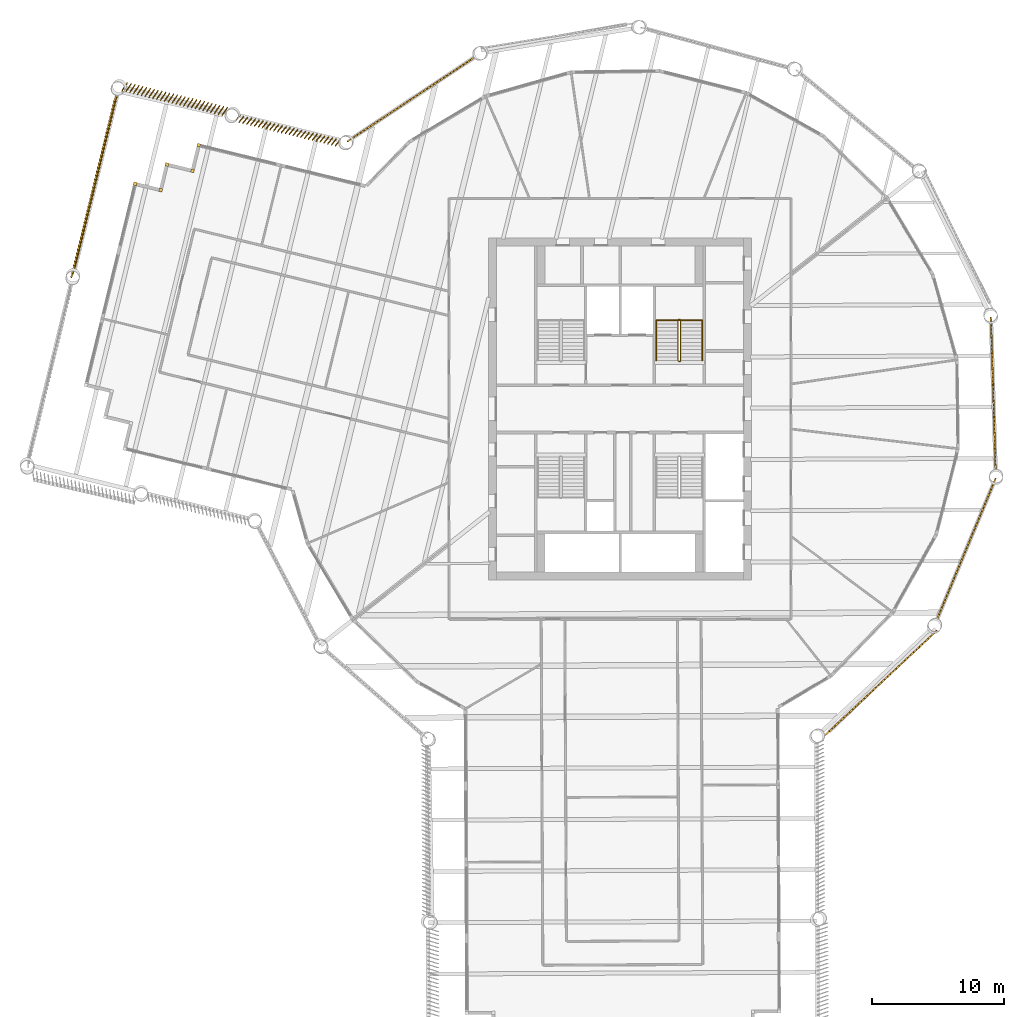
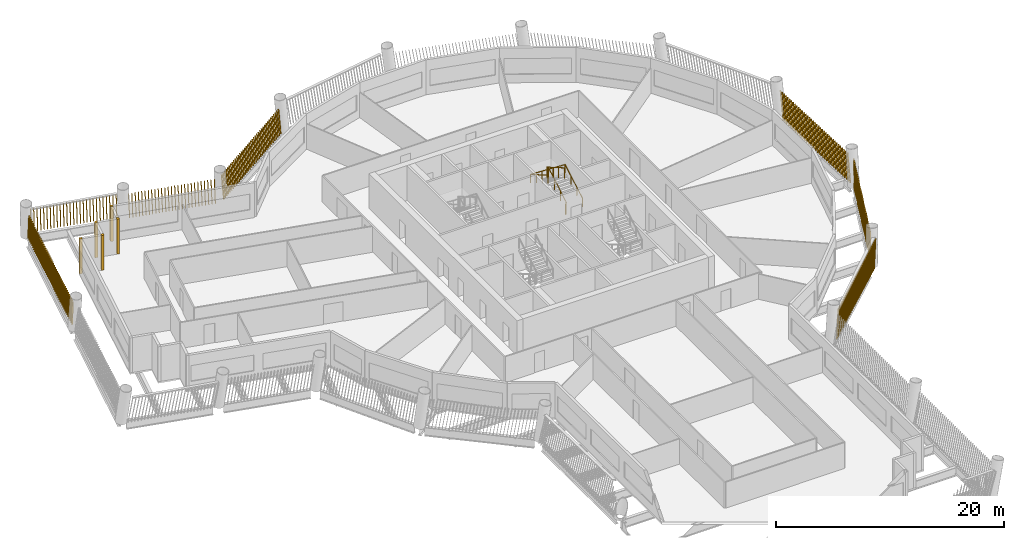
# One storey, part 13 of 15: 12 shading devices, 2 railings.
"""IFC4 building model written with IfcOpenShell, lengths in metres."""

import ifcopenshell
import ifcopenshell.guid

model = None  # the IFC model being written
_history = None  # IfcOwnerHistory: only IFC2X3 demands one
_inside = {}  # id of a spatial element -> (the spatial element, [elements in it])
_under = {}  # id of a project, library or spatial element -> (it, [spatial elements below it])
_declared = {}  # id of a project -> (the project, [libraries it declares])
_typed = {}  # id of a type object -> (the type object, [elements of that type])
_made_of = {}  # id of a material, layer set ... -> (it, [elements and type objects made of it])


def new_model(schema):
    """Start an empty IFC model of exactly this schema.

    Asked for "IFC4X3", IfcOpenShell would pick the latest addendum, in which some entities
    have other attributes; the version numbers below select the first issue.
    IFC2X3 requires an IfcOwnerHistory on every rooted entity: one is made here for all.
    """
    global model, _history
    if schema == "IFC4X3":
        model = ifcopenshell.file(schema_version=(4, 3, 0, 0))
    else:
        model = ifcopenshell.file(schema=schema)
    _inside.clear()
    _under.clear()
    _declared.clear()
    _typed.clear()
    _made_of.clear()
    _history = None
    if model.schema == "IFC2X3":
        org = make("IfcOrganization", Name="unknown")
        user = make(
            "IfcPersonAndOrganization",
            ThePerson=make("IfcPerson", FamilyName="unknown"),
            TheOrganization=org,
        )
        app = make(
            "IfcApplication",
            ApplicationDeveloper=org,
            Version="unknown",
            ApplicationFullName="unknown",
            ApplicationIdentifier="unknown",
        )
        _history = make(
            "IfcOwnerHistory",
            OwningUser=user,
            OwningApplication=app,
            ChangeAction="ADDED",
            CreationDate=0,
        )
    return model


def make(cls, **values):
    """One entity of the class cls with the attributes given. An attribute that is None is left unset."""
    return model.create_entity(
        cls, **{name: value for name, value in values.items() if value is not None}
    )


def rooted(cls, **values):
    """An entity with a GlobalId (a new one), such as an element, a storey or a relation."""
    return make(cls, GlobalId=ifcopenshell.guid.new(), OwnerHistory=_history, **values)


def si_unit(unit_type, name, prefix=None):
    """IfcSIUnit, for example si_unit("LENGTHUNIT", "METRE", prefix="MILLI")."""
    return make("IfcSIUnit", UnitType=unit_type, Prefix=prefix, Name=name)


def assignment(units):
    """IfcUnitAssignment: the units of a project."""
    return None if units is None else make("IfcUnitAssignment", Units=units)


def point(xyz):
    """IfcCartesianPoint."""
    return None if xyz is None else make("IfcCartesianPoint", Coordinates=xyz)


def direction(xyz):
    """IfcDirection."""
    return None if xyz is None else make("IfcDirection", DirectionRatios=xyz)


def frame(location, z_axis=None, x_axis=None):
    """IfcAxis2Placement3D, a coordinate frame: its origin and axes. An axis left out is left unset."""
    return make(
        "IfcAxis2Placement3D",
        Location=point(location),
        Axis=direction(z_axis),
        RefDirection=direction(x_axis),
    )


def frame_2d(location, x_axis=None):
    """IfcAxis2Placement2D, a coordinate frame in the plane: its origin and x axis."""
    return make(
        "IfcAxis2Placement2D", Location=point(location), RefDirection=direction(x_axis)
    )


def origin():
    """The frame at (0, 0, 0) with its axes left unset."""
    return frame((0.0, 0.0, 0.0))


def origin_2d():
    """The frame at (0, 0) in the plane with its x axis left unset."""
    return frame_2d((0.0, 0.0))


def place(relative_to, where):
    """IfcLocalPlacement: puts the frame where relative to a parent placement (None: the world)."""
    return make(
        "IfcLocalPlacement", PlacementRelTo=relative_to, RelativePlacement=where
    )


def context(
    kind, dimensions, precision=None, world=None, true_north=None, identifier=None
):
    """IfcGeometricRepresentationContext, for example the 3D "Model" context."""
    return make(
        "IfcGeometricRepresentationContext",
        ContextIdentifier=identifier,
        ContextType=kind,
        CoordinateSpaceDimension=dimensions,
        Precision=precision,
        WorldCoordinateSystem=world,
        TrueNorth=true_north,
    )


def subcontext(parent, identifier, kind, view, scale=None):
    """IfcGeometricRepresentationSubContext, for example "Body" below "Model"."""
    return make(
        "IfcGeometricRepresentationSubContext",
        ContextIdentifier=identifier,
        ContextType=kind,
        ParentContext=parent,
        TargetScale=scale,
        TargetView=view,
    )


def project(units=None, contexts=None):
    """IfcProject with its units and contexts."""
    return rooted(
        "IfcProject",
        Name="project",
        RepresentationContexts=contexts,
        UnitsInContext=assignment(units),
    )


def spatial(cls, under=None, at=None, **own):
    """A site, building, storey or space (cls), placed at a placement, below another one or the project."""
    s = rooted(cls, ObjectPlacement=at, **own)
    if under is not None:
        _under.setdefault(under.id(), (under, []))[1].append(s)
    return s


def profile(cls, at=None, kind="AREA", **sizes):
    """A parametric profile (cls). Its sizes go by their IFC names, for example OverallWidth=200.0."""
    return make(cls, ProfileType=kind, Position=at, **sizes)


def rectangle(**sizes):
    """IfcRectangleProfileDef."""
    return profile("IfcRectangleProfileDef", **sizes)


def circle(**sizes):
    """IfcCircleProfileDef."""
    return profile("IfcCircleProfileDef", **sizes)


def composite_profile(profiles, kind="AREA"):
    """IfcCompositeProfileDef: several profiles as one."""
    return make("IfcCompositeProfileDef", ProfileType=kind, Profiles=profiles)


def extrude(swept, where, along, depth):
    """IfcExtrudedAreaSolid: the profile swept, set in the frame where, extruded along a direction by depth."""
    return make(
        "IfcExtrudedAreaSolid",
        SweptArea=swept,
        Position=where,
        ExtrudedDirection=direction(along),
        Depth=depth,
    )


def shape(context_of_items, identifier, shape_type, items):
    """IfcShapeRepresentation: the items that make up one representation, for example the "Body"."""
    return make(
        "IfcShapeRepresentation",
        ContextOfItems=context_of_items,
        RepresentationIdentifier=identifier,
        RepresentationType=shape_type,
        Items=items,
    )


def material(Name=None, Category=None):
    """IfcMaterial."""
    return make("IfcMaterial", Name=Name, Category=Category)


def made_of(thing, what):
    """Note that an element or type object is made of a material, layer set ...; save() writes the relation."""
    if what is not None:
        _made_of.setdefault(what.id(), (what, []))[1].append(thing)
    return thing


def type_object(cls, material=None, **own):
    """A type object (cls), such as IfcWallType, which elements share."""
    return made_of(rooted(cls, **own), material)


def element(
    cls,
    number,
    at=None,
    inside=None,
    cuts=None,
    type_object=None,
    material=None,
    context=None,
    identifier="Body",
    shape_type=None,
    held_by="IfcProductDefinitionShape",
    body=None,
    shapes=None,
    **own,
):
    """One element of the class cls, such as IfcWall. Its Tag is "e" and its number.

    at: its placement. inside: the storey or other place that contains it. cuts: it is an
    opening in that element (IfcRelVoidsElement). A single representation is given by context,
    identifier, shape_type and body (its items); several are given by shapes. held_by: the class
    of the entity that holds the representations. save() writes the other relations.
    """
    e = rooted(cls, Tag="e%d" % number, ObjectPlacement=at, **own)
    if body is not None:
        shapes = [shape(context, identifier, shape_type, body)]
    if shapes is not None:
        e.Representation = make(held_by, Representations=shapes)
    if inside is not None:
        _inside.setdefault(inside.id(), (inside, []))[1].append(e)
    if cuts is not None:
        rooted(
            "IfcRelVoidsElement", RelatingBuildingElement=cuts, RelatedOpeningElement=e
        )
    if type_object is not None:
        _typed.setdefault(type_object.id(), (type_object, []))[1].append(e)
    return made_of(e, material)


def aggregate(whole, parts):
    """IfcRelAggregates: a whole, such as a stair, and the parts it consists of."""
    return rooted("IfcRelAggregates", RelatingObject=whole, RelatedObjects=parts)


def save(model, path):
    """Write the relations noted so far, then the file.

    IfcRelAggregates (storeys below a building ...), IfcRelContainedInSpatialStructure (elements
    in a storey), IfcRelDefinesByType, IfcRelAssociatesMaterial and IfcRelDeclares: one each for
    every whole, place, type object, material and project.
    """
    for whole, parts in _under.values():
        aggregate(whole, parts)
    for where, things in _inside.values():
        rooted(
            "IfcRelContainedInSpatialStructure",
            RelatedElements=things,
            RelatingStructure=where,
        )
    for kind, things in _typed.values():
        rooted("IfcRelDefinesByType", RelatedObjects=things, RelatingType=kind)
    for what, things in _made_of.values():
        rooted("IfcRelAssociatesMaterial", RelatedObjects=things, RelatingMaterial=what)
    for by, libraries in _declared.values():
        rooted("IfcRelDeclares", RelatingContext=by, RelatedDefinitions=libraries)
    model.write(path)


model = new_model("IFC4")

# Units and contexts
model_context = context("Model", 3, precision=1e-05, world=origin(), true_north=direction((0.0, 1.0)))
body_context = subcontext(model_context, "Body", "Model", "MODEL_VIEW")
ifc_project = project(units=[si_unit("LENGTHUNIT", "METRE"), si_unit("AREAUNIT", "SQUARE_METRE"), si_unit("VOLUMEUNIT", "CUBIC_METRE"), si_unit("PLANEANGLEUNIT", "RADIAN"), si_unit("MASSUNIT", "GRAM", prefix="KILO")], contexts=[model_context])

# Site, building, storey
site_placement = place(None, origin())
site = spatial("IfcSite", under=ifc_project, at=site_placement, CompositionType="ELEMENT")
building_placement = place(site_placement, origin())
building = spatial("IfcBuilding", under=site, at=building_placement, Name="Tarsis Ring Headquarters", CompositionType="ELEMENT")
storey_placement = place(building_placement, frame((0.0, 0.0, 227.699951171875)))
storey = spatial("IfcBuildingStorey", under=building, at=storey_placement, Name="L53", CompositionType="ELEMENT", Elevation=227.699951171875)

# Railings
ifc_material_1 = material(Name="Steel S355", Category="steel")
railing_type_1 = type_object("IfcRailingType", Name="Core stair guard 1100", PredefinedType="GUARDRAIL", material=ifc_material_1)
railing_1_placement = place(storey_placement, frame((4.4599609375, 3.610107421875, 0.0)))
element("IfcRailing", 1, at=railing_1_placement, inside=storey, type_object=railing_type_1, Name="L53 ST2 stair guard 1", PredefinedType="GUARDRAIL", context=body_context, shape_type="SweptSolid", body=[
    extrude(circle(Radius=0.02392578125, at=origin_2d()), frame((0.0, 0.0, 1.076171875), z_axis=(1.0, 0.0, 0.0), x_axis=(0.0, 1.0, 0.0)), (0.0, 0.0, 1.0), 0.080078125),
    extrude(circle(Radius=0.02392578125, at=origin_2d()), frame((0.080078125, 0.0, 1.076171875), z_axis=(0.282336740067, 0.280959487676, 0.917250092119), x_axis=(-0.705375805398, 0.708833529934, 0.0)), (0.0, 0.0, 1.0), 0.17724609375),
    extrude(circle(Radius=0.02392578125, at=origin_2d()), frame((0.130126953125, 0.0498046875, 1.23876953125), z_axis=(0.0, 0.864920483161, 0.501908913857), x_axis=(-1.0, 0.0, 0.0)), (0.0, 0.0, 1.0), 3.56103515625),
    extrude(circle(Radius=0.02392578125, at=origin_2d()), frame((0.130126953125, 3.1298828125, 3.02587890625), z_axis=(-0.707106781187, 0.707106781187, 0.0), x_axis=(-0.707106781187, -0.707106781187, 0.0)), (0.0, 0.0, 1.0), 0.07080078125),
    extrude(circle(Radius=0.02392578125, at=origin_2d()), frame((0.080078125, 3.179931640625, 3.02587890625), z_axis=(-1.0, 0.0, 0.0), x_axis=(0.0, -1.0, 0.0)), (0.0, 0.0, 1.0), 0.080078125),
    extrude(circle(Radius=0.02392578125, at=origin_2d()), frame((0.0, 3.179931640625, 3.02587890625), z_axis=(-0.282227285176, -0.282227285176, 0.916894497205), x_axis=(0.707106781187, -0.707106781187, 0.0)), (0.0, 0.0, 1.0), 0.17724609375),
    extrude(circle(Radius=0.02392578125, at=origin_2d()), frame((-0.050048828125, 3.1298828125, 3.1884765625), z_axis=(0.0, -0.864890721111, 0.501960198159), x_axis=(1.0, 0.0, 0.0)), (0.0, 0.0, 1.0), 3.561279296875),
    extrude(circle(Radius=0.02099609375, at=origin_2d()), origin(), (0.0, 0.0, 1.0), 1.052001953125),
    extrude(circle(Radius=0.02099609375, at=origin_2d()), frame((0.080078125, 0.0, 0.0)), (0.0, 0.0, 1.0), 1.052001953125),
    extrude(circle(Radius=0.02099609375, at=origin_2d()), frame((0.130126953125, 0.0498046875, 0.16259765625)), (0.0, 0.0, 1.0), 1.052001953125),
    extrude(circle(Radius=0.02099609375, at=origin_2d()), frame((0.130126953125, 1.076416015625, 0.75830078125)), (0.0, 0.0, 1.0), 1.052001953125),
    extrude(circle(Radius=0.02099609375, at=origin_2d()), frame((0.130126953125, 2.103271484375, 1.354248046875)), (0.0, 0.0, 1.0), 1.052001953125),
    extrude(circle(Radius=0.02099609375, at=origin_2d()), frame((0.130126953125, 3.1298828125, 1.949951171875)), (0.0, 0.0, 1.0), 1.052001953125),
    extrude(circle(Radius=0.02099609375, at=origin_2d()), frame((0.080078125, 3.179931640625, 1.949951171875)), (0.0, 0.0, 1.0), 1.052001953125),
    extrude(circle(Radius=0.02099609375, at=origin_2d()), frame((0.0, 3.179931640625, 1.949951171875)), (0.0, 0.0, 1.0), 1.052001953125),
    extrude(circle(Radius=0.02099609375, at=origin_2d()), frame((-0.050048828125, 3.1298828125, 2.112548828125)), (0.0, 0.0, 1.0), 1.052001953125),
    extrude(circle(Radius=0.02099609375, at=origin_2d()), frame((-0.050048828125, 2.103271484375, 2.70849609375)), (0.0, 0.0, 1.0), 1.052001953125),
    extrude(circle(Radius=0.02099609375, at=origin_2d()), frame((-0.050048828125, 1.076416015625, 3.30419921875)), (0.0, 0.0, 1.0), 1.052001953125),
    extrude(circle(Radius=0.02099609375, at=origin_2d()), frame((-0.050048828125, 0.0498046875, 3.900146484375)), (0.0, 0.0, 1.0), 1.052001953125),
])
railing_type_2 = type_object("IfcRailingType", Name="Core stair handrail 900", PredefinedType="HANDRAIL", material=ifc_material_1)
railing_2_placement = place(storey_placement, frame((6.25, 3.659912109375, 0.16259765625)))
element("IfcRailing", 2, at=railing_2_placement, inside=storey, type_object=railing_type_2, Name="L53 ST2 stair handrail 1", PredefinedType="HANDRAIL", context=body_context, shape_type="SweptSolid", body=[
    extrude(circle(Radius=0.02392578125, at=origin_2d()), frame((0.0, 0.0, 0.8759765625), z_axis=(0.0, 0.864920483161, 0.501908913857), x_axis=(-1.0, 0.0, 0.0)), (0.0, 0.0, 1.0), 3.56103515625),
    extrude(circle(Radius=0.02392578125, at=origin_2d()), frame((0.0, 3.080078125, 2.6630859375), z_axis=(-0.998922641604, 0.0, 0.046406422943), x_axis=(0.0, -1.0, 0.0)), (0.0, 0.0, 1.0), 3.503662109375),
    extrude(circle(Radius=0.02392578125, at=origin_2d()), frame((-3.5, 3.080078125, 2.82568359375), z_axis=(0.0, -0.864890721111, 0.501960198159), x_axis=(1.0, 0.0, 0.0)), (0.0, 0.0, 1.0), 3.561279296875),
    extrude(circle(Radius=0.02099609375, at=origin_2d()), origin(), (0.0, 0.0, 1.0), 0.851806640625),
    extrude(circle(Radius=0.02099609375, at=origin_2d()), frame((0.0, 1.026611328125, 0.595703125)), (0.0, 0.0, 1.0), 0.851806640625),
    extrude(circle(Radius=0.02099609375, at=origin_2d()), frame((0.0, 2.053466796875, 1.191650390625)), (0.0, 0.0, 1.0), 0.851806640625),
    extrude(circle(Radius=0.02099609375, at=origin_2d()), frame((0.0, 3.080078125, 1.787353515625)), (0.0, 0.0, 1.0), 0.851806640625),
    extrude(circle(Radius=0.02099609375, at=origin_2d()), frame((-1.166748046875, 3.080078125, 1.841552734375)), (0.0, 0.0, 1.0), 0.851806640625),
    extrude(circle(Radius=0.02099609375, at=origin_2d()), frame((-2.333251953125, 3.080078125, 1.895751953125)), (0.0, 0.0, 1.0), 0.851806640625),
    extrude(circle(Radius=0.02099609375, at=origin_2d()), frame((-3.5, 3.080078125, 1.949951171875)), (0.0, 0.0, 1.0), 0.851806640625),
    extrude(circle(Radius=0.02099609375, at=origin_2d()), frame((-3.5, 2.053466796875, 2.5458984375)), (0.0, 0.0, 1.0), 0.851806640625),
    extrude(circle(Radius=0.02099609375, at=origin_2d()), frame((-3.5, 1.026611328125, 3.1416015625)), (0.0, 0.0, 1.0), 0.851806640625),
    extrude(circle(Radius=0.02099609375, at=origin_2d()), frame((-3.5, 0.0, 3.737548828125)), (0.0, 0.0, 1.0), 0.851806640625),
])

# Shading devices
ifc_material_2 = material(Name="Terracotta baguette", Category="masonry")
shading_device_type_1 = type_object("IfcShadingDeviceType", Name="Terracotta baguette screen", PredefinedType="USERDEFINED", material=ifc_material_2)
shading_device_1_placement = place(storey_placement, frame((15.543212890625, -24.855224609375, 0.0), z_axis=(0.0, 0.0, 1.0), x_axis=(0.730396093326, 0.683038524145, 0.0)))
element("IfcShadingDevice", 3, at=shading_device_1_placement, inside=storey, type_object=shading_device_type_1, Name="Baguette screen L53-07", ObjectType="Terracotta baguette screen", PredefinedType="USERDEFINED", context=body_context, shape_type="SweptSolid", body=[
    extrude(composite_profile([rectangle(XDim=0.06005859375, YDim=0.1201171875, at=frame_2d((0.030029296875, 0.0))), rectangle(XDim=0.06005859375, YDim=0.1201171875, at=frame_2d((0.33251953125, 0.0))), rectangle(XDim=0.06005859375, YDim=0.1201171875, at=frame_2d((0.634765625, 0.0))), rectangle(XDim=0.06005859375, YDim=0.1201171875, at=frame_2d((0.937255859375, 0.0))), rectangle(XDim=0.06005859375, YDim=0.1201171875, at=frame_2d((1.239501953125, 0.0))), rectangle(XDim=0.06005859375, YDim=0.1201171875, at=frame_2d((1.5419921875, 0.0))), rectangle(XDim=0.06005859375, YDim=0.1201171875, at=frame_2d((1.844482421875, 0.0))), rectangle(XDim=0.06005859375, YDim=0.1201171875, at=frame_2d((2.146728515625, 0.0))), rectangle(XDim=0.06005859375, YDim=0.1201171875, at=frame_2d((2.44921875, 0.0))), rectangle(XDim=0.06005859375, YDim=0.1201171875, at=frame_2d((2.751708984375, 0.0))), rectangle(XDim=0.06005859375, YDim=0.1201171875, at=frame_2d((3.053955078125, 0.0))), rectangle(XDim=0.06005859375, YDim=0.1201171875, at=frame_2d((3.3564453125, 0.0))), rectangle(XDim=0.06005859375, YDim=0.1201171875, at=frame_2d((3.65869140625, 0.0))), rectangle(XDim=0.06005859375, YDim=0.1201171875, at=frame_2d((3.961181640625, 0.0))), rectangle(XDim=0.06005859375, YDim=0.1201171875, at=frame_2d((4.263671875, 0.0))), rectangle(XDim=0.06005859375, YDim=0.1201171875, at=frame_2d((4.56591796875, 0.0))), rectangle(XDim=0.06005859375, YDim=0.1201171875, at=frame_2d((4.868408203125, 0.0))), rectangle(XDim=0.06005859375, YDim=0.1201171875, at=frame_2d((5.1708984375, 0.0))), rectangle(XDim=0.06005859375, YDim=0.1201171875, at=frame_2d((5.47314453125, 0.0))), rectangle(XDim=0.06005859375, YDim=0.1201171875, at=frame_2d((5.775634765625, 0.0))), rectangle(XDim=0.06005859375, YDim=0.1201171875, at=frame_2d((6.077880859375, 0.0))), rectangle(XDim=0.06005859375, YDim=0.1201171875, at=frame_2d((6.38037109375, 0.0))), rectangle(XDim=0.06005859375, YDim=0.1201171875, at=frame_2d((6.682861328125, 0.0))), rectangle(XDim=0.06005859375, YDim=0.1201171875, at=frame_2d((6.985107421875, 0.0))), rectangle(XDim=0.06005859375, YDim=0.1201171875, at=frame_2d((7.28759765625, 0.0))), rectangle(XDim=0.06005859375, YDim=0.1201171875, at=frame_2d((7.590087890625, 0.0))), rectangle(XDim=0.06005859375, YDim=0.1201171875, at=frame_2d((7.892333984375, 0.0))), rectangle(XDim=0.06005859375, YDim=0.1201171875, at=frame_2d((8.19482421875, 0.0))), rectangle(XDim=0.06005859375, YDim=0.1201171875, at=frame_2d((8.4970703125, 0.0))), rectangle(XDim=0.06005859375, YDim=0.1201171875, at=frame_2d((8.799560546875, 0.0))), rectangle(XDim=0.06005859375, YDim=0.1201171875, at=frame_2d((9.10205078125, 0.0))), rectangle(XDim=0.06005859375, YDim=0.1201171875, at=frame_2d((9.404296875, 0.0))), rectangle(XDim=0.06005859375, YDim=0.1201171875, at=frame_2d((9.706787109375, 0.0))), rectangle(XDim=0.06005859375, YDim=0.1201171875, at=frame_2d((10.00927734375, 0.0))), rectangle(XDim=0.06005859375, YDim=0.1201171875, at=frame_2d((10.3115234375, 0.0))), rectangle(XDim=0.06005859375, YDim=0.1201171875, at=frame_2d((10.614013671875, 0.0))), rectangle(XDim=0.06005859375, YDim=0.1201171875, at=frame_2d((10.916259765625, 0.0))), rectangle(XDim=0.06005859375, YDim=0.1201171875, at=frame_2d((11.21875, 0.0)))]), origin(), (0.161266247369, 0.001351469132, 0.986910011597), 2.989013671875),
])
shading_device_2_placement = place(storey_placement, frame((24.060302734375, -16.0947265625, 0.0), z_axis=(0.0, 0.0, 1.0), x_axis=(0.383917525773, 0.923364080304, 0.0)))
element("IfcShadingDevice", 4, at=shading_device_2_placement, inside=storey, type_object=shading_device_type_1, Name="Baguette screen L53-08", ObjectType="Terracotta baguette screen", PredefinedType="USERDEFINED", context=body_context, shape_type="SweptSolid", body=[
    extrude(composite_profile([rectangle(XDim=0.06005859375, YDim=0.1201171875, at=frame_2d((0.030029296875, 0.0))), rectangle(XDim=0.06005859375, YDim=0.1201171875, at=frame_2d((0.33251953125, 0.0))), rectangle(XDim=0.06005859375, YDim=0.1201171875, at=frame_2d((0.634765625, 0.0))), rectangle(XDim=0.06005859375, YDim=0.1201171875, at=frame_2d((0.937255859375, 0.0))), rectangle(XDim=0.06005859375, YDim=0.1201171875, at=frame_2d((1.239501953125, 0.0))), rectangle(XDim=0.06005859375, YDim=0.1201171875, at=frame_2d((1.5419921875, 0.0))), rectangle(XDim=0.06005859375, YDim=0.1201171875, at=frame_2d((1.844482421875, 0.0))), rectangle(XDim=0.06005859375, YDim=0.1201171875, at=frame_2d((2.146728515625, 0.0))), rectangle(XDim=0.06005859375, YDim=0.1201171875, at=frame_2d((2.44921875, 0.0))), rectangle(XDim=0.06005859375, YDim=0.1201171875, at=frame_2d((2.751708984375, 0.0))), rectangle(XDim=0.06005859375, YDim=0.1201171875, at=frame_2d((3.053955078125, 0.0))), rectangle(XDim=0.06005859375, YDim=0.1201171875, at=frame_2d((3.3564453125, 0.0))), rectangle(XDim=0.06005859375, YDim=0.1201171875, at=frame_2d((3.65869140625, 0.0))), rectangle(XDim=0.06005859375, YDim=0.1201171875, at=frame_2d((3.961181640625, 0.0))), rectangle(XDim=0.06005859375, YDim=0.1201171875, at=frame_2d((4.263671875, 0.0))), rectangle(XDim=0.06005859375, YDim=0.1201171875, at=frame_2d((4.56591796875, 0.0))), rectangle(XDim=0.06005859375, YDim=0.1201171875, at=frame_2d((4.868408203125, 0.0))), rectangle(XDim=0.06005859375, YDim=0.1201171875, at=frame_2d((5.1708984375, 0.0))), rectangle(XDim=0.06005859375, YDim=0.1201171875, at=frame_2d((5.47314453125, 0.0))), rectangle(XDim=0.06005859375, YDim=0.1201171875, at=frame_2d((5.775634765625, 0.0))), rectangle(XDim=0.06005859375, YDim=0.1201171875, at=frame_2d((6.077880859375, 0.0))), rectangle(XDim=0.06005859375, YDim=0.1201171875, at=frame_2d((6.38037109375, 0.0))), rectangle(XDim=0.06005859375, YDim=0.1201171875, at=frame_2d((6.682861328125, 0.0))), rectangle(XDim=0.06005859375, YDim=0.1201171875, at=frame_2d((6.985107421875, 0.0))), rectangle(XDim=0.06005859375, YDim=0.1201171875, at=frame_2d((7.28759765625, 0.0))), rectangle(XDim=0.06005859375, YDim=0.1201171875, at=frame_2d((7.590087890625, 0.0))), rectangle(XDim=0.06005859375, YDim=0.1201171875, at=frame_2d((7.892333984375, 0.0))), rectangle(XDim=0.06005859375, YDim=0.1201171875, at=frame_2d((8.19482421875, 0.0))), rectangle(XDim=0.06005859375, YDim=0.1201171875, at=frame_2d((8.4970703125, 0.0))), rectangle(XDim=0.06005859375, YDim=0.1201171875, at=frame_2d((8.799560546875, 0.0))), rectangle(XDim=0.06005859375, YDim=0.1201171875, at=frame_2d((9.10205078125, 0.0))), rectangle(XDim=0.06005859375, YDim=0.1201171875, at=frame_2d((9.404296875, 0.0))), rectangle(XDim=0.06005859375, YDim=0.1201171875, at=frame_2d((9.706787109375, 0.0))), rectangle(XDim=0.06005859375, YDim=0.1201171875, at=frame_2d((10.00927734375, 0.0))), rectangle(XDim=0.06005859375, YDim=0.1201171875, at=frame_2d((10.3115234375, 0.0))), rectangle(XDim=0.06005859375, YDim=0.1201171875, at=frame_2d((10.614013671875, 0.0))), rectangle(XDim=0.06005859375, YDim=0.1201171875, at=frame_2d((10.916259765625, 0.0))), rectangle(XDim=0.06005859375, YDim=0.1201171875, at=frame_2d((11.21875, 0.0)))]), origin(), (0.159215900496, 0.001334941628, 0.987242885495), 2.988037109375),
])
shading_device_3_placement = place(storey_placement, frame((28.555419921875, -4.74658203125, 0.0), z_axis=(0.0, 0.0, 1.0), x_axis=(-0.030818647452, 0.999522527997, 0.0)))
element("IfcShadingDevice", 5, at=shading_device_3_placement, inside=storey, type_object=shading_device_type_1, Name="Baguette screen L53-09", ObjectType="Terracotta baguette screen", PredefinedType="USERDEFINED", context=body_context, shape_type="SweptSolid", body=[
    extrude(composite_profile([rectangle(XDim=0.06005859375, YDim=0.1201171875, at=frame_2d((0.030029296875, 0.0))), rectangle(XDim=0.06005859375, YDim=0.1201171875, at=frame_2d((0.33251953125, 0.0))), rectangle(XDim=0.06005859375, YDim=0.1201171875, at=frame_2d((0.634765625, 0.0))), rectangle(XDim=0.06005859375, YDim=0.1201171875, at=frame_2d((0.937255859375, 0.0))), rectangle(XDim=0.06005859375, YDim=0.1201171875, at=frame_2d((1.239501953125, 0.0))), rectangle(XDim=0.06005859375, YDim=0.1201171875, at=frame_2d((1.5419921875, 0.0))), rectangle(XDim=0.06005859375, YDim=0.1201171875, at=frame_2d((1.844482421875, 0.0))), rectangle(XDim=0.06005859375, YDim=0.1201171875, at=frame_2d((2.146728515625, 0.0))), rectangle(XDim=0.06005859375, YDim=0.1201171875, at=frame_2d((2.44921875, 0.0))), rectangle(XDim=0.06005859375, YDim=0.1201171875, at=frame_2d((2.751708984375, 0.0))), rectangle(XDim=0.06005859375, YDim=0.1201171875, at=frame_2d((3.053955078125, 0.0))), rectangle(XDim=0.06005859375, YDim=0.1201171875, at=frame_2d((3.3564453125, 0.0))), rectangle(XDim=0.06005859375, YDim=0.1201171875, at=frame_2d((3.65869140625, 0.0))), rectangle(XDim=0.06005859375, YDim=0.1201171875, at=frame_2d((3.961181640625, 0.0))), rectangle(XDim=0.06005859375, YDim=0.1201171875, at=frame_2d((4.263671875, 0.0))), rectangle(XDim=0.06005859375, YDim=0.1201171875, at=frame_2d((4.56591796875, 0.0))), rectangle(XDim=0.06005859375, YDim=0.1201171875, at=frame_2d((4.868408203125, 0.0))), rectangle(XDim=0.06005859375, YDim=0.1201171875, at=frame_2d((5.1708984375, 0.0))), rectangle(XDim=0.06005859375, YDim=0.1201171875, at=frame_2d((5.47314453125, 0.0))), rectangle(XDim=0.06005859375, YDim=0.1201171875, at=frame_2d((5.775634765625, 0.0))), rectangle(XDim=0.06005859375, YDim=0.1201171875, at=frame_2d((6.077880859375, 0.0))), rectangle(XDim=0.06005859375, YDim=0.1201171875, at=frame_2d((6.38037109375, 0.0))), rectangle(XDim=0.06005859375, YDim=0.1201171875, at=frame_2d((6.682861328125, 0.0))), rectangle(XDim=0.06005859375, YDim=0.1201171875, at=frame_2d((6.985107421875, 0.0))), rectangle(XDim=0.06005859375, YDim=0.1201171875, at=frame_2d((7.28759765625, 0.0))), rectangle(XDim=0.06005859375, YDim=0.1201171875, at=frame_2d((7.590087890625, 0.0))), rectangle(XDim=0.06005859375, YDim=0.1201171875, at=frame_2d((7.892333984375, 0.0))), rectangle(XDim=0.06005859375, YDim=0.1201171875, at=frame_2d((8.19482421875, 0.0))), rectangle(XDim=0.06005859375, YDim=0.1201171875, at=frame_2d((8.4970703125, 0.0))), rectangle(XDim=0.06005859375, YDim=0.1201171875, at=frame_2d((8.799560546875, 0.0))), rectangle(XDim=0.06005859375, YDim=0.1201171875, at=frame_2d((9.10205078125, 0.0))), rectangle(XDim=0.06005859375, YDim=0.1201171875, at=frame_2d((9.404296875, 0.0))), rectangle(XDim=0.06005859375, YDim=0.1201171875, at=frame_2d((9.706787109375, 0.0))), rectangle(XDim=0.06005859375, YDim=0.1201171875, at=frame_2d((10.00927734375, 0.0))), rectangle(XDim=0.06005859375, YDim=0.1201171875, at=frame_2d((10.3115234375, 0.0))), rectangle(XDim=0.06005859375, YDim=0.1201171875, at=frame_2d((10.614013671875, 0.0))), rectangle(XDim=0.06005859375, YDim=0.1201171875, at=frame_2d((10.916259765625, 0.0))), rectangle(XDim=0.06005859375, YDim=0.1201171875, at=frame_2d((11.21875, 0.0)))]), origin(), (0.159216033514, 0.001334600516, 0.987242864504), 2.988037109375),
])
shading_device_4_placement = place(storey_placement, frame((-10.972412109375, 26.787109375, 0.0), z_axis=(0.0, 0.0, 1.0), x_axis=(-0.834078479035, -0.551632086119, 0.0)))
element("IfcShadingDevice", 6, at=shading_device_4_placement, inside=storey, type_object=shading_device_type_1, Name="Baguette screen L53-14", ObjectType="Terracotta baguette screen", PredefinedType="USERDEFINED", context=body_context, shape_type="SweptSolid", body=[
    extrude(composite_profile([rectangle(XDim=0.06005859375, YDim=0.1201171875, at=frame_2d((0.030029296875, 0.0))), rectangle(XDim=0.06005859375, YDim=0.1201171875, at=frame_2d((0.33251953125, 0.0))), rectangle(XDim=0.06005859375, YDim=0.1201171875, at=frame_2d((0.634765625, 0.0))), rectangle(XDim=0.06005859375, YDim=0.1201171875, at=frame_2d((0.937255859375, 0.0))), rectangle(XDim=0.06005859375, YDim=0.1201171875, at=frame_2d((1.239501953125, 0.0))), rectangle(XDim=0.06005859375, YDim=0.1201171875, at=frame_2d((1.5419921875, 0.0))), rectangle(XDim=0.06005859375, YDim=0.1201171875, at=frame_2d((1.844482421875, 0.0))), rectangle(XDim=0.06005859375, YDim=0.1201171875, at=frame_2d((2.146728515625, 0.0))), rectangle(XDim=0.06005859375, YDim=0.1201171875, at=frame_2d((2.44921875, 0.0))), rectangle(XDim=0.06005859375, YDim=0.1201171875, at=frame_2d((2.751708984375, 0.0))), rectangle(XDim=0.06005859375, YDim=0.1201171875, at=frame_2d((3.053955078125, 0.0))), rectangle(XDim=0.06005859375, YDim=0.1201171875, at=frame_2d((3.3564453125, 0.0))), rectangle(XDim=0.06005859375, YDim=0.1201171875, at=frame_2d((3.65869140625, 0.0))), rectangle(XDim=0.06005859375, YDim=0.1201171875, at=frame_2d((3.961181640625, 0.0))), rectangle(XDim=0.06005859375, YDim=0.1201171875, at=frame_2d((4.263671875, 0.0))), rectangle(XDim=0.06005859375, YDim=0.1201171875, at=frame_2d((4.56591796875, 0.0))), rectangle(XDim=0.06005859375, YDim=0.1201171875, at=frame_2d((4.868408203125, 0.0))), rectangle(XDim=0.06005859375, YDim=0.1201171875, at=frame_2d((5.1708984375, 0.0))), rectangle(XDim=0.06005859375, YDim=0.1201171875, at=frame_2d((5.47314453125, 0.0))), rectangle(XDim=0.06005859375, YDim=0.1201171875, at=frame_2d((5.775634765625, 0.0))), rectangle(XDim=0.06005859375, YDim=0.1201171875, at=frame_2d((6.077880859375, 0.0))), rectangle(XDim=0.06005859375, YDim=0.1201171875, at=frame_2d((6.38037109375, 0.0))), rectangle(XDim=0.06005859375, YDim=0.1201171875, at=frame_2d((6.682861328125, 0.0))), rectangle(XDim=0.06005859375, YDim=0.1201171875, at=frame_2d((6.985107421875, 0.0))), rectangle(XDim=0.06005859375, YDim=0.1201171875, at=frame_2d((7.28759765625, 0.0))), rectangle(XDim=0.06005859375, YDim=0.1201171875, at=frame_2d((7.590087890625, 0.0))), rectangle(XDim=0.06005859375, YDim=0.1201171875, at=frame_2d((7.892333984375, 0.0))), rectangle(XDim=0.06005859375, YDim=0.1201171875, at=frame_2d((8.19482421875, 0.0))), rectangle(XDim=0.06005859375, YDim=0.1201171875, at=frame_2d((8.4970703125, 0.0))), rectangle(XDim=0.06005859375, YDim=0.1201171875, at=frame_2d((8.799560546875, 0.0))), rectangle(XDim=0.06005859375, YDim=0.1201171875, at=frame_2d((9.10205078125, 0.0))), rectangle(XDim=0.06005859375, YDim=0.1201171875, at=frame_2d((9.404296875, 0.0))), rectangle(XDim=0.06005859375, YDim=0.1201171875, at=frame_2d((9.706787109375, 0.0))), rectangle(XDim=0.06005859375, YDim=0.1201171875, at=frame_2d((10.00927734375, 0.0))), rectangle(XDim=0.06005859375, YDim=0.1201171875, at=frame_2d((10.3115234375, 0.0))), rectangle(XDim=0.06005859375, YDim=0.1201171875, at=frame_2d((10.614013671875, 0.0))), rectangle(XDim=0.06005859375, YDim=0.1201171875, at=frame_2d((10.916259765625, 0.0))), rectangle(XDim=0.06005859375, YDim=0.1201171875, at=frame_2d((11.21875, 0.0)))]), origin(), (0.159215440461, 0.001332402118, 0.987242963117), 2.988037109375),
])
shading_device_5_placement = place(storey_placement, frame((-21.2578125, 20.424560546875, 0.0), z_axis=(0.0, 0.0, 1.0), x_axis=(-0.971453287197, 0.237178695007, 0.0)))
element("IfcShadingDevice", 7, at=shading_device_5_placement, inside=storey, type_object=shading_device_type_1, Name="Baguette screen L53-15", ObjectType="Terracotta baguette screen", PredefinedType="USERDEFINED", context=body_context, shape_type="SweptSolid", body=[
    extrude(composite_profile([rectangle(XDim=0.06005859375, YDim=0.1201171875, at=frame_2d((0.030029296875, 0.0))), rectangle(XDim=0.06005859375, YDim=0.1201171875, at=frame_2d((0.33154296875, 0.0))), rectangle(XDim=0.06005859375, YDim=0.1201171875, at=frame_2d((0.63330078125, 0.0))), rectangle(XDim=0.06005859375, YDim=0.1201171875, at=frame_2d((0.934814453125, 0.0))), rectangle(XDim=0.06005859375, YDim=0.1201171875, at=frame_2d((1.236572265625, 0.0))), rectangle(XDim=0.06005859375, YDim=0.1201171875, at=frame_2d((1.5380859375, 0.0))), rectangle(XDim=0.06005859375, YDim=0.1201171875, at=frame_2d((1.83984375, 0.0))), rectangle(XDim=0.06005859375, YDim=0.1201171875, at=frame_2d((2.141357421875, 0.0))), rectangle(XDim=0.06005859375, YDim=0.1201171875, at=frame_2d((2.443115234375, 0.0))), rectangle(XDim=0.06005859375, YDim=0.1201171875, at=frame_2d((2.74462890625, 0.0))), rectangle(XDim=0.06005859375, YDim=0.1201171875, at=frame_2d((3.04638671875, 0.0))), rectangle(XDim=0.06005859375, YDim=0.1201171875, at=frame_2d((3.347900390625, 0.0))), rectangle(XDim=0.06005859375, YDim=0.1201171875, at=frame_2d((3.649658203125, 0.0))), rectangle(XDim=0.06005859375, YDim=0.1201171875, at=frame_2d((3.951171875, 0.0))), rectangle(XDim=0.06005859375, YDim=0.1201171875, at=frame_2d((4.252685546875, 0.0))), rectangle(XDim=0.06005859375, YDim=0.1201171875, at=frame_2d((4.554443359375, 0.0))), rectangle(XDim=0.06005859375, YDim=0.1201171875, at=frame_2d((4.85595703125, 0.0))), rectangle(XDim=0.06005859375, YDim=0.1201171875, at=frame_2d((5.15771484375, 0.0))), rectangle(XDim=0.06005859375, YDim=0.1201171875, at=frame_2d((5.459228515625, 0.0))), rectangle(XDim=0.06005859375, YDim=0.1201171875, at=frame_2d((5.760986328125, 0.0))), rectangle(XDim=0.06005859375, YDim=0.1201171875, at=frame_2d((6.0625, 0.0))), rectangle(XDim=0.06005859375, YDim=0.1201171875, at=frame_2d((6.3642578125, 0.0))), rectangle(XDim=0.06005859375, YDim=0.1201171875, at=frame_2d((6.665771484375, 0.0))), rectangle(XDim=0.06005859375, YDim=0.1201171875, at=frame_2d((6.967529296875, 0.0))), rectangle(XDim=0.06005859375, YDim=0.1201171875, at=frame_2d((7.26904296875, 0.0))), rectangle(XDim=0.06005859375, YDim=0.1201171875, at=frame_2d((7.57080078125, 0.0))), rectangle(XDim=0.06005859375, YDim=0.1201171875, at=frame_2d((7.872314453125, 0.0)))]), origin(), (0.081243474496, 0.165078741217, 0.982928536085), 3.001220703125),
])
shading_device_6_placement = place(storey_placement, frame((-29.817138671875, 22.900390625, 0.0), z_axis=(0.0, 0.0, 1.0), x_axis=(-0.971453287197, 0.237178695007, 0.0)))
element("IfcShadingDevice", 8, at=shading_device_6_placement, inside=storey, type_object=shading_device_type_1, Name="Baguette screen L53-16", ObjectType="Terracotta baguette screen", PredefinedType="USERDEFINED", context=body_context, shape_type="SweptSolid", body=[
    extrude(composite_profile([rectangle(XDim=0.06005859375, YDim=0.1201171875, at=frame_2d((0.030029296875, 0.0))), rectangle(XDim=0.06005859375, YDim=0.1201171875, at=frame_2d((0.33154296875, 0.0))), rectangle(XDim=0.06005859375, YDim=0.1201171875, at=frame_2d((0.63330078125, 0.0))), rectangle(XDim=0.06005859375, YDim=0.1201171875, at=frame_2d((0.934814453125, 0.0))), rectangle(XDim=0.06005859375, YDim=0.1201171875, at=frame_2d((1.236572265625, 0.0))), rectangle(XDim=0.06005859375, YDim=0.1201171875, at=frame_2d((1.5380859375, 0.0))), rectangle(XDim=0.06005859375, YDim=0.1201171875, at=frame_2d((1.83984375, 0.0))), rectangle(XDim=0.06005859375, YDim=0.1201171875, at=frame_2d((2.141357421875, 0.0))), rectangle(XDim=0.06005859375, YDim=0.1201171875, at=frame_2d((2.443115234375, 0.0))), rectangle(XDim=0.06005859375, YDim=0.1201171875, at=frame_2d((2.74462890625, 0.0))), rectangle(XDim=0.06005859375, YDim=0.1201171875, at=frame_2d((3.04638671875, 0.0))), rectangle(XDim=0.06005859375, YDim=0.1201171875, at=frame_2d((3.347900390625, 0.0))), rectangle(XDim=0.06005859375, YDim=0.1201171875, at=frame_2d((3.649658203125, 0.0))), rectangle(XDim=0.06005859375, YDim=0.1201171875, at=frame_2d((3.951171875, 0.0))), rectangle(XDim=0.06005859375, YDim=0.1201171875, at=frame_2d((4.252685546875, 0.0))), rectangle(XDim=0.06005859375, YDim=0.1201171875, at=frame_2d((4.554443359375, 0.0))), rectangle(XDim=0.06005859375, YDim=0.1201171875, at=frame_2d((4.85595703125, 0.0))), rectangle(XDim=0.06005859375, YDim=0.1201171875, at=frame_2d((5.15771484375, 0.0))), rectangle(XDim=0.06005859375, YDim=0.1201171875, at=frame_2d((5.459228515625, 0.0))), rectangle(XDim=0.06005859375, YDim=0.1201171875, at=frame_2d((5.760986328125, 0.0))), rectangle(XDim=0.06005859375, YDim=0.1201171875, at=frame_2d((6.0625, 0.0))), rectangle(XDim=0.06005859375, YDim=0.1201171875, at=frame_2d((6.3642578125, 0.0))), rectangle(XDim=0.06005859375, YDim=0.1201171875, at=frame_2d((6.665771484375, 0.0))), rectangle(XDim=0.06005859375, YDim=0.1201171875, at=frame_2d((6.967529296875, 0.0))), rectangle(XDim=0.06005859375, YDim=0.1201171875, at=frame_2d((7.26904296875, 0.0))), rectangle(XDim=0.06005859375, YDim=0.1201171875, at=frame_2d((7.57080078125, 0.0))), rectangle(XDim=0.06005859375, YDim=0.1201171875, at=frame_2d((7.872314453125, 0.0)))]), origin(), (0.082137333481, 0.212764566042, 0.973645057444), 3.02978515625),
])
shading_device_7_placement = place(storey_placement, frame((-38.18701171875, 24.043212890625, 0.0), z_axis=(0.0, 0.0, 1.0), x_axis=(-0.23718708536, -0.971463954003, 0.0)))
element("IfcShadingDevice", 9, at=shading_device_7_placement, inside=storey, type_object=shading_device_type_1, Name="Baguette screen L53-17", ObjectType="Terracotta baguette screen", PredefinedType="USERDEFINED", context=body_context, shape_type="SweptSolid", body=[
    extrude(composite_profile([rectangle(XDim=0.06005859375, YDim=0.1201171875, at=frame_2d((0.030029296875, 0.0))), rectangle(XDim=0.06005859375, YDim=0.1201171875, at=frame_2d((0.33544921875, 0.0))), rectangle(XDim=0.06005859375, YDim=0.1201171875, at=frame_2d((0.640625, 0.0))), rectangle(XDim=0.06005859375, YDim=0.1201171875, at=frame_2d((0.946044921875, 0.0))), rectangle(XDim=0.06005859375, YDim=0.1201171875, at=frame_2d((1.25146484375, 0.0))), rectangle(XDim=0.06005859375, YDim=0.1201171875, at=frame_2d((1.556640625, 0.0))), rectangle(XDim=0.06005859375, YDim=0.1201171875, at=frame_2d((1.862060546875, 0.0))), rectangle(XDim=0.06005859375, YDim=0.1201171875, at=frame_2d((2.16748046875, 0.0))), rectangle(XDim=0.06005859375, YDim=0.1201171875, at=frame_2d((2.47265625, 0.0))), rectangle(XDim=0.06005859375, YDim=0.1201171875, at=frame_2d((2.778076171875, 0.0))), rectangle(XDim=0.06005859375, YDim=0.1201171875, at=frame_2d((3.08349609375, 0.0))), rectangle(XDim=0.06005859375, YDim=0.1201171875, at=frame_2d((3.388671875, 0.0))), rectangle(XDim=0.06005859375, YDim=0.1201171875, at=frame_2d((3.694091796875, 0.0))), rectangle(XDim=0.06005859375, YDim=0.1201171875, at=frame_2d((3.99951171875, 0.0))), rectangle(XDim=0.06005859375, YDim=0.1201171875, at=frame_2d((4.3046875, 0.0))), rectangle(XDim=0.06005859375, YDim=0.1201171875, at=frame_2d((4.610107421875, 0.0))), rectangle(XDim=0.06005859375, YDim=0.1201171875, at=frame_2d((4.91552734375, 0.0))), rectangle(XDim=0.06005859375, YDim=0.1201171875, at=frame_2d((5.220703125, 0.0))), rectangle(XDim=0.06005859375, YDim=0.1201171875, at=frame_2d((5.526123046875, 0.0))), rectangle(XDim=0.06005859375, YDim=0.1201171875, at=frame_2d((5.83154296875, 0.0))), rectangle(XDim=0.06005859375, YDim=0.1201171875, at=frame_2d((6.13671875, 0.0))), rectangle(XDim=0.06005859375, YDim=0.1201171875, at=frame_2d((6.442138671875, 0.0))), rectangle(XDim=0.06005859375, YDim=0.1201171875, at=frame_2d((6.74755859375, 0.0))), rectangle(XDim=0.06005859375, YDim=0.1201171875, at=frame_2d((7.052734375, 0.0))), rectangle(XDim=0.06005859375, YDim=0.1201171875, at=frame_2d((7.358154296875, 0.0))), rectangle(XDim=0.06005859375, YDim=0.1201171875, at=frame_2d((7.66357421875, 0.0))), rectangle(XDim=0.06005859375, YDim=0.1201171875, at=frame_2d((7.96875, 0.0))), rectangle(XDim=0.06005859375, YDim=0.1201171875, at=frame_2d((8.274169921875, 0.0))), rectangle(XDim=0.06005859375, YDim=0.1201171875, at=frame_2d((8.57958984375, 0.0))), rectangle(XDim=0.06005859375, YDim=0.1201171875, at=frame_2d((8.884765625, 0.0))), rectangle(XDim=0.06005859375, YDim=0.1201171875, at=frame_2d((9.190185546875, 0.0))), rectangle(XDim=0.06005859375, YDim=0.1201171875, at=frame_2d((9.49560546875, 0.0))), rectangle(XDim=0.06005859375, YDim=0.1201171875, at=frame_2d((9.80078125, 0.0))), rectangle(XDim=0.06005859375, YDim=0.1201171875, at=frame_2d((10.106201171875, 0.0))), rectangle(XDim=0.06005859375, YDim=0.1201171875, at=frame_2d((10.41162109375, 0.0))), rectangle(XDim=0.06005859375, YDim=0.1201171875, at=frame_2d((10.716796875, 0.0))), rectangle(XDim=0.06005859375, YDim=0.1201171875, at=frame_2d((11.022216796875, 0.0))), rectangle(XDim=0.06005859375, YDim=0.1201171875, at=frame_2d((11.32763671875, 0.0))), rectangle(XDim=0.06005859375, YDim=0.1201171875, at=frame_2d((11.6328125, 0.0))), rectangle(XDim=0.06005859375, YDim=0.1201171875, at=frame_2d((11.938232421875, 0.0))), rectangle(XDim=0.06005859375, YDim=0.1201171875, at=frame_2d((12.24365234375, 0.0))), rectangle(XDim=0.06005859375, YDim=0.1201171875, at=frame_2d((12.548828125, 0.0))), rectangle(XDim=0.06005859375, YDim=0.1201171875, at=frame_2d((12.854248046875, 0.0))), rectangle(XDim=0.06005859375, YDim=0.1201171875, at=frame_2d((13.15966796875, 0.0))), rectangle(XDim=0.06005859375, YDim=0.1201171875, at=frame_2d((13.46484375, 0.0))), rectangle(XDim=0.06005859375, YDim=0.1201171875, at=frame_2d((13.770263671875, 0.0)))]), origin(), (0.236350864723, -0.03882574453, 0.970891770645), 3.038330078125),
])
shading_device_type_2 = type_object("IfcShadingDeviceType", Name="Terracotta corner baguette 250x250", PredefinedType="USERDEFINED", material=ifc_material_2)
for number, where, z_axis, x_axis, name in (
    (10, (-32.034912109375, 20.044921875, 0.0), (0.0, 0.0, 1.0), (-0.971466396979, 0.237177232339, 0.0), "Corner baguette L53-32"),
    (11, (-32.50927734375, 18.10205078125, 0.0), (0.0, 0.0, 1.0), (-0.237177452758, -0.971466343166, 0.0), "Corner baguette L53-33"),
    (12, (-34.4521484375, 18.576416015625, 0.0), (0.0, 0.0, 1.0), (-0.971466430096, 0.237177096697, 0.0), "Corner baguette L53-34"),
    (13, (-34.926513671875, 16.63330078125, 0.0), (0.0, 0.0, 1.0), (-0.237177096697, -0.971466430096, 0.0), "Corner baguette L53-35"),
    (14, (-36.869384765625, 17.107666015625, 0.0), (0.0, 0.0, 1.0), (-0.971466343166, 0.237177452758, 0.0), "Corner baguette L53-36"),
):
    element("IfcShadingDevice", number, at=place(storey_placement, frame(where, z_axis=z_axis, x_axis=x_axis)), inside=storey, type_object=shading_device_type_2, Name=name, ObjectType="Terracotta corner baguette", PredefinedType="USERDEFINED", context=body_context, shape_type="SweptSolid", body=[
        extrude(rectangle(XDim=0.25, YDim=0.25, at=origin_2d()), origin(), (0.0, 0.0, 1.0), 3.739990234375),
    ])

save(model, "model.ifc")
